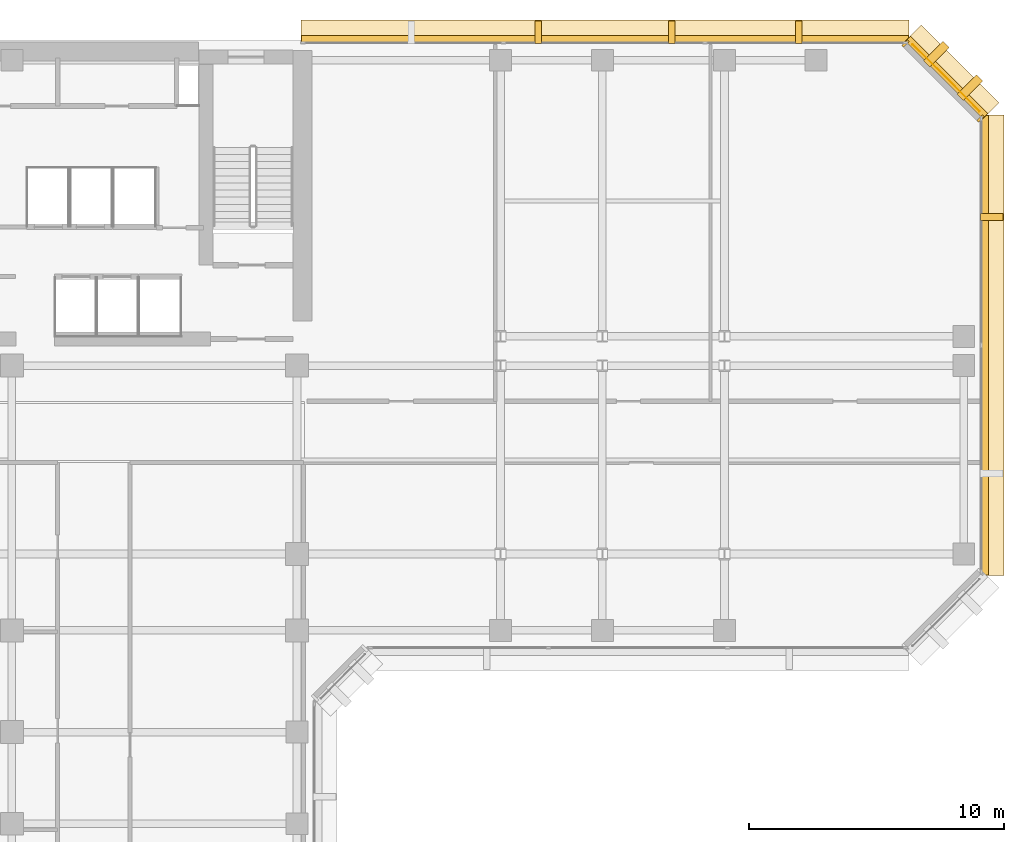
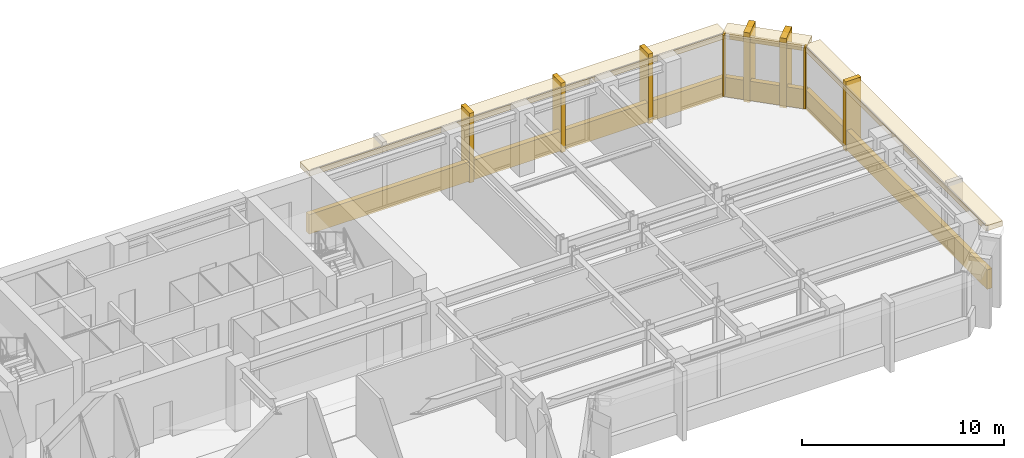
# One storey, part 11 of 11: 15 coverings.
"""IFC4 building model written with IfcOpenShell, lengths in metres."""

from ifc_helpers import new_model, si_unit, direction, frame, origin, origin_2d, place, context, subcontext, project, spatial, rectangle, extrude, material, layer, layer_set, type_object, element, save


model = new_model("IFC4")

# Units and contexts
model_context = context("Model", 3, precision=1e-05, world=origin(), true_north=direction((0.0, 1.0)))
body_context = subcontext(model_context, "Body", "Model", "MODEL_VIEW")
ifc_project = project(units=[si_unit("LENGTHUNIT", "METRE"), si_unit("AREAUNIT", "SQUARE_METRE"), si_unit("VOLUMEUNIT", "CUBIC_METRE"), si_unit("PLANEANGLEUNIT", "RADIAN"), si_unit("MASSUNIT", "GRAM", prefix="KILO")], contexts=[model_context])

# Site, building, storey
site_placement = place(None, origin())
site = spatial("IfcSite", under=ifc_project, at=site_placement, CompositionType="ELEMENT")
building_placement = place(site_placement, origin())
building = spatial("IfcBuilding", under=site, at=building_placement, Name="Kefirva Bronze Tower", CompositionType="ELEMENT")
storey_placement = place(building_placement, frame((0.0, 0.0, 162.68994140625)))
storey = spatial("IfcBuildingStorey", under=building, at=storey_placement, Name="L39", CompositionType="ELEMENT", Elevation=162.68994140625)

# Coverings
ifc_material = material(Name="Bronze anodised aluminium", Category="aluminium")
ifc_layer_1 = layer(ifc_material, 0.02001953125, Name="Bronze anodised aluminium")
ifc_layer_set_1 = layer_set([ifc_layer_1], Name="Bronze anodised aluminium")
covering_type_1 = type_object("IfcCoveringType", Name="Anodised Bronze Spandrel Cladding 20mm", PredefinedType="CLADDING", material=ifc_layer_set_1)
covering_1_placement = place(storey_placement, frame((50.239990234375, 34.0, -0.15966796875), z_axis=(0.0, 0.0, 1.0), x_axis=(0.0, 1.0, 0.0)))
element("IfcCovering", 1, at=covering_1_placement, inside=storey, type_object=covering_type_1, Name="L39 Streamline Horizontal Spandrel Band 10", PredefinedType="CLADDING", context=body_context, shape_type="SweptSolid", body=[
    extrude(rectangle(XDim=18.0400390625, YDim=0.280029296875, at=origin_2d()), origin(), (0.0, 0.0, 1.0), 1.179931640625),
])
covering_2_placement = place(storey_placement, frame((48.70703125, 44.507080078125, 3.2900390625), z_axis=(0.0, 0.0, 1.0), x_axis=(-0.707106781187, 0.707106781187, 0.0)))
element("IfcCovering", 2, at=covering_2_placement, inside=storey, type_object=covering_type_1, Name="L39 Bronze Spandrel Cladding 7", PredefinedType="CLADDING", context=body_context, shape_type="SweptSolid", body=[
    extrude(rectangle(XDim=3.719482421875, YDim=0.02001953125, at=origin_2d()), origin(), (0.0, 0.0, 1.0), 0.39990234375),
])
for number, where, z_axis, x_axis, name in (
    (3, (50.06201171875, 42.91162109375, 0.0), (0.0, 0.0, 1.0), (-0.707106781187, 0.707106781187, 0.0), "L39 Facade Joint Closure Panel 7S"),
    (4, (47.11181640625, 45.862060546875, 0.0), (0.0, 0.0, 1.0), (-0.707106781187, 0.707106781187, 0.0), "L39 Facade Joint Closure Panel 7E"),
):
    element("IfcCovering", number, at=place(storey_placement, frame(where, z_axis=z_axis, x_axis=x_axis)), inside=storey, type_object=covering_type_1, Name=name, PredefinedType="CLADDING", context=body_context, shape_type="SweptSolid", body=[
        extrude(rectangle(XDim=0.10009765625, YDim=0.320068359375, at=origin_2d()), origin(), (0.0, 0.0, 1.0), 3.7099609375),
    ])
covering_3_placement = place(storey_placement, frame((48.728271484375, 44.5283203125, -0.15966796875), z_axis=(0.0, 0.0, 1.0), x_axis=(-0.707106781187, 0.707106781187, 0.0)))
element("IfcCovering", 5, at=covering_3_placement, inside=storey, type_object=covering_type_1, Name="L39 Streamline Horizontal Spandrel Band 11", PredefinedType="CLADDING", context=body_context, shape_type="SweptSolid", body=[
    extrude(rectangle(XDim=4.28271484375, YDim=0.280029296875, at=origin_2d()), origin(), (0.0, 0.0, 1.0), 1.179931640625),
])
covering_4_placement = place(storey_placement, frame((35.302490234375, 46.0400390625, -0.15966796875), z_axis=(0.0, 0.0, 1.0), x_axis=(-1.0, 0.0, 0.0)))
element("IfcCovering", 6, at=covering_4_placement, inside=storey, type_object=covering_type_1, Name="L39 Streamline Horizontal Spandrel Band 12", PredefinedType="CLADDING", context=body_context, shape_type="SweptSolid", body=[
    extrude(rectangle(XDim=23.8349609375, YDim=0.280029296875, at=origin_2d()), origin(), (0.0, 0.0, 1.0), 1.179931640625),
])
ifc_layer_2 = layer(ifc_material, 0.179931640625, Name="Bronze anodised aluminium")
ifc_layer_set_2 = layer_set([ifc_layer_2], Name="Bronze anodised aluminium")
covering_type_2 = type_object("IfcCoveringType", Name="Streamline Bronze Sunshade Eyebrow Cladding 180mm", PredefinedType="CLADDING", material=ifc_layer_set_2)
covering_5_placement = place(storey_placement, frame((50.510009765625, 34.0, 3.39013671875), z_axis=(0.0, 0.0, 1.0), x_axis=(0.0, 1.0, 0.0)))
element("IfcCovering", 7, at=covering_5_placement, inside=storey, type_object=covering_type_2, Name="L39 Streamline Bronze Sunshade Eyebrow 10", PredefinedType="CLADDING", context=body_context, shape_type="SweptSolid", body=[
    extrude(rectangle(XDim=18.080078125, YDim=0.93994140625, at=origin_2d()), origin(), (0.0, 0.0, 1.0), 0.320068359375),
])
covering_6_placement = place(storey_placement, frame((48.919189453125, 44.71923828125, 3.39013671875), z_axis=(0.0, 0.0, 1.0), x_axis=(-0.707106781187, 0.707106781187, 0.0)))
element("IfcCovering", 8, at=covering_6_placement, inside=storey, type_object=covering_type_2, Name="L39 Streamline Bronze Sunshade Eyebrow 11", PredefinedType="CLADDING", context=body_context, shape_type="SweptSolid", body=[
    extrude(rectangle(XDim=4.322509765625, YDim=0.93994140625, at=origin_2d()), origin(), (0.0, 0.0, 1.0), 0.320068359375),
])
covering_7_placement = place(storey_placement, frame((35.302490234375, 46.31005859375, 3.39013671875), z_axis=(0.0, 0.0, 1.0), x_axis=(-1.0, 0.0, 0.0)))
element("IfcCovering", 9, at=covering_7_placement, inside=storey, type_object=covering_type_2, Name="L39 Streamline Bronze Sunshade Eyebrow 12", PredefinedType="CLADDING", context=body_context, shape_type="SweptSolid", body=[
    extrude(rectangle(XDim=23.875, YDim=0.93994140625, at=origin_2d()), origin(), (0.0, 0.0, 1.0), 0.320068359375),
])
ifc_layer_3 = layer(ifc_material, 0.260009765625, Name="Bronze anodised aluminium")
ifc_layer_set_3 = layer_set([ifc_layer_3], Name="Bronze anodised aluminium")
covering_type_3 = type_object("IfcCoveringType", Name="Unbroken Bronze Buttress Fin Cladding 260mm", PredefinedType="CLADDING", material=ifc_layer_set_3)
covering_8_placement = place(storey_placement, frame((50.5, 39.0400390625, -0.25), z_axis=(0.0, 0.0, 1.0), x_axis=(0.0, 1.0, 0.0)))
element("IfcCovering", 10, at=covering_8_placement, inside=storey, type_object=covering_type_3, Name="L39 Unbroken Vertical Bronze Rib Fin 14", PredefinedType="CLADDING", context=body_context, shape_type="SweptSolid", body=[
    extrude(rectangle(XDim=0.260009765625, YDim=0.8798828125, at=origin_2d()), origin(), (0.0, 0.0, 1.0), 4.2099609375),
])
for number, where, z_axis, x_axis, name in (
    (11, (49.642822265625, 44.122802734375, -0.25), (0.0, 0.0, 1.0), (-0.707106781187, 0.707106781187, 0.0), "L39 Chamfered Corner Buttress Fin Cladding 15"),
    (12, (48.32275390625, 45.44287109375, -0.25), (0.0, 0.0, 1.0), (-0.707106781187, 0.707106781187, 0.0), "L39 Chamfered Corner Buttress Fin Cladding 16"),
):
    element("IfcCovering", number, at=place(storey_placement, frame(where, z_axis=z_axis, x_axis=x_axis)), inside=storey, type_object=covering_type_3, Name=name, PredefinedType="CLADDING", context=body_context, shape_type="SweptSolid", body=[
        extrude(rectangle(XDim=0.340087890625, YDim=1.080078125, at=origin_2d()), origin(), (0.0, 0.0, 1.0), 4.2099609375),
    ])
for number, where, z_axis, x_axis, name in (
    (13, (42.9169921875, 46.300048828125, -0.25), (0.0, 0.0, 1.0), (-1.0, 0.0, 0.0), "L39 Unbroken Vertical Bronze Rib Fin 17"),
    (14, (37.919921875, 46.300048828125, -0.25), (0.0, 0.0, 1.0), (-1.0, 0.0, 0.0), "L39 Unbroken Vertical Bronze Rib Fin 18"),
    (15, (32.68505859375, 46.300048828125, -0.25), (0.0, 0.0, 1.0), (-1.0, 0.0, 0.0), "L39 Unbroken Vertical Bronze Rib Fin 19"),
):
    element("IfcCovering", number, at=place(storey_placement, frame(where, z_axis=z_axis, x_axis=x_axis)), inside=storey, type_object=covering_type_3, Name=name, PredefinedType="CLADDING", context=body_context, shape_type="SweptSolid", body=[
        extrude(rectangle(XDim=0.260009765625, YDim=0.8798828125, at=origin_2d()), origin(), (0.0, 0.0, 1.0), 4.2099609375),
    ])

save(model, "model.ifc")
